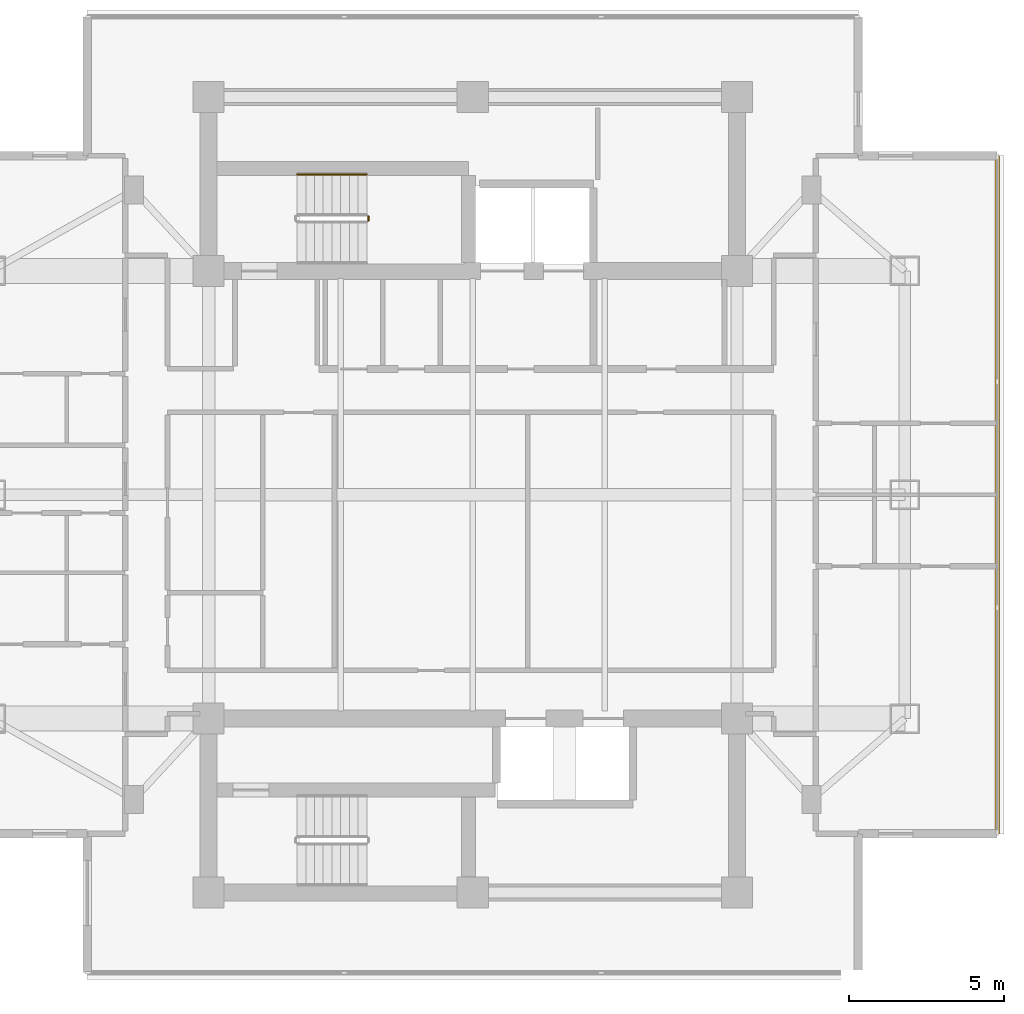
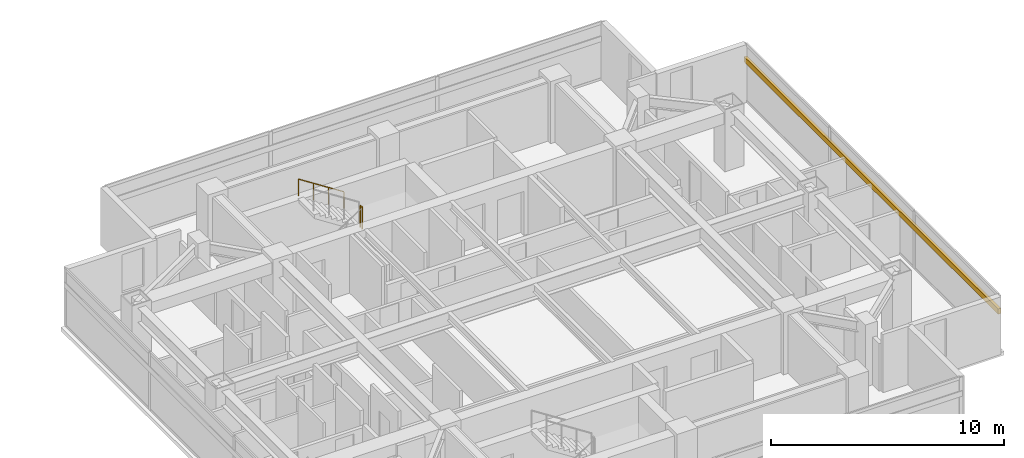
# One storey, part 23 of 24: 2 railings, 1 shading device.
"""IFC4 building model written with IfcOpenShell, lengths in metres."""

from ifc_helpers import new_model, si_unit, direction, frame, origin, origin_2d, place, context, subcontext, project, spatial, rectangle, circle, extrude, material, material_profile, profile_set, type_object, element, save


model = new_model("IFC4")

# Units and contexts
model_context = context("Model", 3, precision=1e-05, world=origin(), true_north=direction((0.0, 1.0)))
body_context = subcontext(model_context, "Body", "Model", "MODEL_VIEW")
ifc_project = project(units=[si_unit("LENGTHUNIT", "METRE"), si_unit("AREAUNIT", "SQUARE_METRE"), si_unit("VOLUMEUNIT", "CUBIC_METRE"), si_unit("PLANEANGLEUNIT", "RADIAN"), si_unit("MASSUNIT", "GRAM", prefix="KILO")], contexts=[model_context])

# Site, building, storey
site_placement = place(None, origin())
site = spatial("IfcSite", under=ifc_project, at=site_placement, CompositionType="ELEMENT")
building_placement = place(site_placement, origin())
building = spatial("IfcBuilding", under=site, at=building_placement, Name="Mirazonda Arch Towers", CompositionType="ELEMENT")
storey_placement = place(building_placement, frame((0.0, 0.0, 157.64990234375)))
storey = spatial("IfcBuildingStorey", under=building, at=storey_placement, Name="L44", CompositionType="ELEMENT", Elevation=157.64990234375)

# Shading device
ifc_material_1 = material(Name="Kiln-Fired Architectural Terracotta", Category="masonry")
ifc_material_profile = material_profile(ifc_material_1, rectangle(XDim=0.139892578125, YDim=0.280029296875, at=origin_2d()), Name="TERRA-BAG-140x280")
ifc_profile_set = profile_set([ifc_material_profile], Name="Kiln-Fired Architectural Terracotta")
shading_device_type = type_object("IfcShadingDeviceType", Name="BAGUETTE-3", PredefinedType="USERDEFINED", material=ifc_profile_set)
shading_device_placement = place(storey_placement, frame((93.37060546875, 17.09033203125, 2.181640625), z_axis=(0.0, 1.0, 0.0), x_axis=(-1.0, 0.0, 0.0)))
element("IfcShadingDevice", 1, at=shading_device_placement, inside=storey, type_object=shading_device_type, Name="L44 Glazed Terracotta Sun-Screen Baguette CW-L44-T2-E", ObjectType="BAGUETTE", PredefinedType="USERDEFINED", context=body_context, shape_type="SweptSolid", body=[
    extrude(rectangle(XDim=0.139892578125, YDim=0.280029296875, at=origin_2d()), origin(), (0.0, 0.0, 1.0), 21.8193359375),
])

# Railings
ifc_material_2 = material(Name="Architectural Brushed Steel S355", Category="steel")
railing_type_1 = type_object("IfcRailingType", Name="GUARD-STAIR-1120", PredefinedType="GUARDRAIL", material=ifc_material_2)
railing_1_placement = place(storey_placement, frame((73.139892578125, 36.820068359375, 1.625)))
element("IfcRailing", 2, at=railing_1_placement, inside=storey, type_object=railing_type_1, Name="L44 ST-T2N stair guard 2", PredefinedType="GUARDRAIL", context=body_context, shape_type="SweptSolid", body=[
    extrude(circle(Radius=0.02392578125, at=origin_2d()), frame((0.0, 0.0, 1.1259765625), z_axis=(0.0, 1.0, 0.0), x_axis=(-1.0, 0.0, 0.0)), (0.0, 0.0, 1.0), 0.139892578125),
    extrude(circle(Radius=0.02099609375, at=origin_2d()), origin(), (0.0, 0.0, 1.0), 1.101806640625),
    extrude(circle(Radius=0.02099609375, at=origin_2d()), frame((0.0, 0.139892578125, 0.0)), (0.0, 0.0, 1.0), 1.101806640625),
])
railing_type_2 = type_object("IfcRailingType", Name="HANDRAIL-915", PredefinedType="HANDRAIL", material=ifc_material_2)
railing_2_placement = place(storey_placement, frame((73.090087890625, 38.31005859375, 1.8056640625)))
element("IfcRailing", 3, at=railing_2_placement, inside=storey, type_object=railing_type_2, Name="L44 ST-T2N stair handrail 2", PredefinedType="HANDRAIL", context=body_context, shape_type="SweptSolid", body=[
    extrude(circle(Radius=0.02392578125, at=origin_2d()), frame((0.0, 0.0, 0.8759765625), z_axis=(-0.840436612492, 0.0, 0.541909863706), x_axis=(0.0, -1.0, 0.0)), (0.0, 0.0, 1.0), 2.665283203125),
    extrude(circle(Radius=0.02099609375, at=origin_2d()), origin(), (0.0, 0.0, 1.0), 0.851806640625),
    extrude(circle(Radius=0.02099609375, at=origin_2d()), frame((-0.74658203125, 0.0, 0.4814453125)), (0.0, 0.0, 1.0), 0.851806640625),
    extrude(circle(Radius=0.02099609375, at=origin_2d()), frame((-1.493408203125, 0.0, 0.962890625)), (0.0, 0.0, 1.0), 0.851806640625),
    extrude(circle(Radius=0.02099609375, at=origin_2d()), frame((-2.239990234375, 0.0, 1.4443359375)), (0.0, 0.0, 1.0), 0.851806640625),
])

save(model, "model.ifc")
